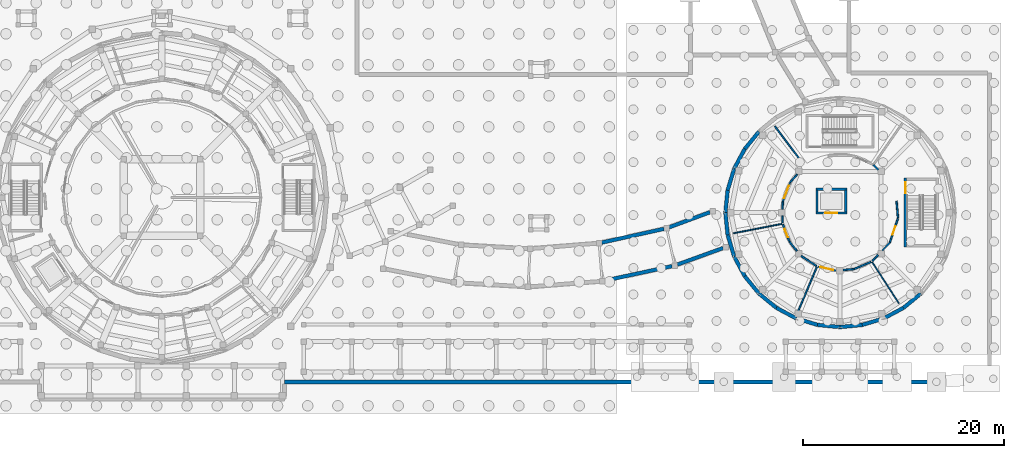
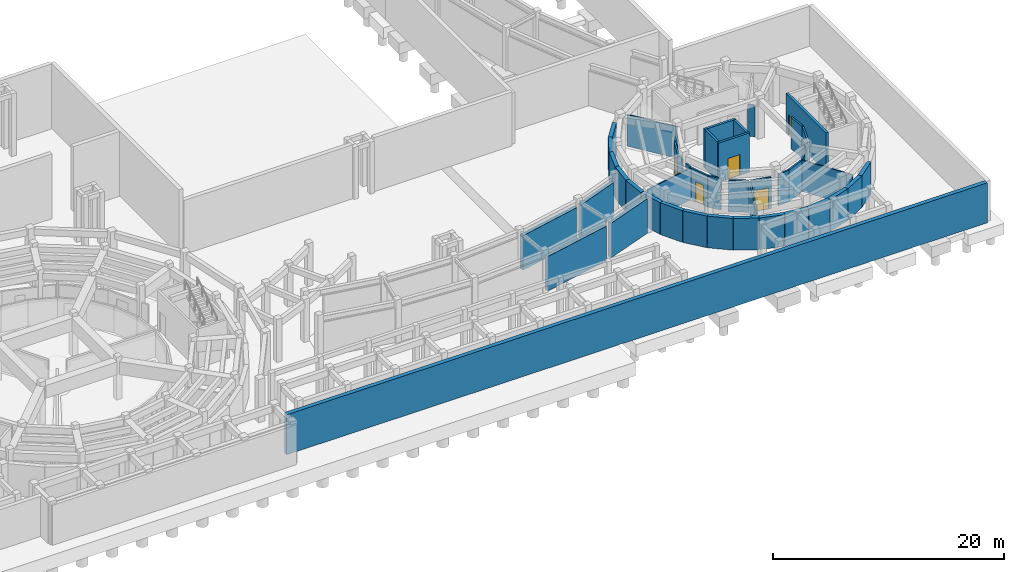
# One storey, part 44 of 57: 45 walls, 6 doors, 6 openings.
"""IFC4 building model written with IfcOpenShell, lengths in metres."""

from ifc_helpers import new_model, si_unit, direction, frame, frame_2d, origin, place, context, subcontext, project, spatial, rectangle, extrude, material, layer, layer_set, type_object, element, fill, save


model = new_model("IFC4")

# Units and contexts
model_context = context("Model", 3, precision=1e-05, world=origin(), true_north=direction((0.0, 1.0)))
body_context = subcontext(model_context, "Body", "Model", "MODEL_VIEW")
ifc_project = project(units=[si_unit("LENGTHUNIT", "METRE"), si_unit("AREAUNIT", "SQUARE_METRE"), si_unit("VOLUMEUNIT", "CUBIC_METRE"), si_unit("PLANEANGLEUNIT", "RADIAN"), si_unit("MASSUNIT", "GRAM", prefix="KILO")], contexts=[model_context])

# Site, building, storey
site_placement = place(None, origin())
site = spatial("IfcSite", under=ifc_project, at=site_placement, CompositionType="ELEMENT")
building_placement = place(site_placement, origin())
building = spatial("IfcBuilding", under=site, at=building_placement, Name="Aldenvaro Health Centre", CompositionType="ELEMENT")
storey_placement = place(building_placement, frame((0.0, 0.0, -4.550048828125)))
storey = spatial("IfcBuildingStorey", under=building, at=storey_placement, Name="B1", CompositionType="ELEMENT", Elevation=-4.550048828125)

# Walls
ifc_material_1 = material(Name="Gypsum Stud Acoustic Assembly")
ifc_layer_1 = layer(ifc_material_1, 0.14501953125, Name="Gypsum Stud Acoustic Assembly")
ifc_layer_set_1 = layer_set([ifc_layer_1], Name="Gypsum Stud Acoustic Assembly")
wall_type_1 = type_object("IfcWallType", Name="WL-CLN-145", PredefinedType="PARTITIONING", material=ifc_layer_set_1)
wall_1_placement = place(storey_placement, frame((150.85009765625, 23.343994140625, 0.0), z_axis=(0.0, 0.0, 1.0), x_axis=(-0.601830514666, 0.798623836118, 0.0)))
element("IfcWall", 1, at=wall_1_placement, inside=storey, type_object=wall_type_1, Name="D6 B1 clinical partition 2.1", PredefinedType="PARTITIONING", context=body_context, shape_type="SweptSolid", body=[
    extrude(rectangle(XDim=4.690673828125, YDim=0.14501953125, at=frame_2d((2.34521484375, 0.0))), origin(), (0.0, 0.0, 1.0), 3.322998046875),
])
wall_2_placement = place(storey_placement, frame((152.200927734375, 13.0849609375, 0.0), z_axis=(0.0, 0.0, 1.0), x_axis=(-0.390680175244, -0.920526480157, 0.0)))
element("IfcWall", 2, at=wall_2_placement, inside=storey, type_object=wall_type_1, Name="D6 B1 clinical partition 4.1", PredefinedType="PARTITIONING", context=body_context, shape_type="SweptSolid", body=[
    extrude(rectangle(XDim=4.90673828125, YDim=0.14501953125, at=frame_2d((2.453369140625, 0.0))), origin(), (0.0, 0.0, 1.0), 3.322998046875),
])
ifc_layer_2 = layer(ifc_material_1, 0.1650390625, Name="Gypsum Stud Acoustic Assembly")
ifc_layer_set_2 = layer_set([ifc_layer_2], Name="Gypsum Stud Acoustic Assembly")
wall_type_2 = type_object("IfcWallType", Name="WL-COR-165", PredefinedType="PARTITIONING", material=ifc_layer_set_2)
wall_3_placement = place(storey_placement, frame((150.2509765625, 22.306884765625, 0.0), z_axis=(0.0, 0.0, 1.0), x_axis=(-0.665670610056, -0.746245696073, 0.0)))
element("IfcWall", 3, at=wall_3_placement, inside=storey, type_object=wall_type_2, Name="D6 B1 corridor wall 02.1", PredefinedType="PARTITIONING", context=body_context, shape_type="SweptSolid", body=[
    extrude(rectangle(XDim=1.054443359375, YDim=0.1650390625, at=frame_2d((0.52734375, 0.0))), origin(), (0.0, 0.0, 1.0), 3.322998046875),
])

# Wall, opening, door
wall_4_placement = place(storey_placement, frame((149.549072265625, 21.52001953125, 0.0), z_axis=(0.0, 0.0, 1.0), x_axis=(-0.358830356871, -0.93340279354, 0.0)))
wall_4 = element("IfcWall", 4, at=wall_4_placement, inside=storey, type_object=wall_type_2, Name="D6 B1 corridor wall 02.2", PredefinedType="PARTITIONING", context=body_context, shape_type="SweptSolid", body=[
    extrude(rectangle(XDim=2.090087890625, YDim=0.1650390625, at=frame_2d((1.044921875, 0.0))), origin(), (0.0, 0.0, 1.0), 3.322998046875),
])
opening_1_placement = place(wall_4_placement, frame((0.385009765625, 0.0, 0.0)))
opening_1 = element("IfcOpeningElement", 5, at=opening_1_placement, cuts=wall_4, Name="Opening PD-02", PredefinedType="OPENING", context=body_context, shape_type="SweptSolid", body=[
    extrude(rectangle(XDim=1.320068359375, YDim=2.239990234375, at=frame_2d((0.66015625, 1.1201171875))), frame((0.0, 0.092529296875, 0.0), z_axis=(0.0, -1.0, 0.0), x_axis=(1.0, 0.0, 0.0)), (0.0, 0.0, 1.0), 0.18505859375),
])
ifc_material_2 = material(Name="Double Leaf Plant Equipment Door")
door_type_1 = type_object("IfcDoorType", Name="DR-PLT-02", OperationType="NOTDEFINED", PredefinedType="DOOR", material=ifc_material_2)
door_1_placement = place(opening_1_placement, origin())
door_1 = element("IfcDoor", 6, at=door_1_placement, inside=storey, type_object=door_type_1, Name="Dental Vacuum and Medical Air Plant Door", OperationType="SINGLE_SWING_LEFT", OverallHeight=2.239990234375, OverallWidth=1.320068359375, PredefinedType="DOOR", context=body_context, shape_type="SweptSolid", body=[
    extrude(rectangle(XDim=1.320068359375, YDim=2.239990234375, at=frame_2d((0.66015625, 1.1201171875))), frame((0.0, 0.02490234375, 0.0), z_axis=(0.0, -1.0, 0.0), x_axis=(1.0, 0.0, 0.0)), (0.0, 0.0, 1.0), 0.050048828125),
])
fill(opening_1, door_1)

# Walls
wall_5_placement = place(storey_placement, frame((148.799072265625, 19.569091796875, 0.0), z_axis=(0.0, 0.0, 1.0), x_axis=(-0.004213900998, -0.99999112148, 0.0)))
element("IfcWall", 7, at=wall_5_placement, inside=storey, type_object=wall_type_2, Name="D6 B1 corridor wall 02.3", PredefinedType="PARTITIONING", context=body_context, shape_type="SweptSolid", body=[
    extrude(rectangle(XDim=0.753173828125, YDim=0.1650390625, at=frame_2d((0.37646484375, 0.0))), origin(), (0.0, 0.0, 1.0), 3.322998046875),
])
wall_6_placement = place(storey_placement, frame((148.7939453125, 18.18408203125, 0.0), z_axis=(0.0, 0.0, 1.0), x_axis=(-0.004149341873, -0.999991391444, 0.0)))
element("IfcWall", 8, at=wall_6_placement, inside=storey, type_object=wall_type_2, Name="D6 B1 corridor wall 02.4", PredefinedType="PARTITIONING", context=body_context, shape_type="SweptSolid", body=[
    extrude(rectangle(XDim=0.7060546875, YDim=0.1650390625, at=frame_2d((0.35302734375, 0.0))), origin(), (0.0, 0.0, 1.0), 3.322998046875),
])

# Wall, opening, door
wall_7_placement = place(storey_placement, frame((148.823974609375, 17.30908203125, 0.0), z_axis=(0.0, 0.0, 1.0), x_axis=(0.356746140056, -0.934201365636, 0.0)))
wall_7 = element("IfcWall", 9, at=wall_7_placement, inside=storey, type_object=wall_type_2, Name="D6 B1 corridor wall 03.1", PredefinedType="PARTITIONING", context=body_context, shape_type="SweptSolid", body=[
    extrude(rectangle(XDim=1.8251953125, YDim=0.1650390625, at=frame_2d((0.91259765625, 0.0))), origin(), (0.0, 0.0, 1.0), 3.322998046875),
])
opening_2_placement = place(wall_7_placement, frame((0.471923828125, 0.0, 0.0)))
opening_2 = element("IfcOpeningElement", 10, at=opening_2_placement, cuts=wall_7, Name="Opening UD-01", PredefinedType="OPENING", context=body_context, shape_type="SweptSolid", body=[
    extrude(rectangle(XDim=0.8798828125, YDim=2.10009765625, at=frame_2d((0.43994140625, 1.050048828125))), frame((0.0, 0.092529296875, 0.0), z_axis=(0.0, -1.0, 0.0), x_axis=(1.0, 0.0, 0.0)), (0.0, 0.0, 1.0), 0.18505859375),
])
ifc_material_3 = material(Name="Clean Supply Store Door")
door_type_2 = type_object("IfcDoorType", Name="DR-STR-01", OperationType="NOTDEFINED", PredefinedType="DOOR", material=ifc_material_3)
door_2_placement = place(opening_2_placement, origin())
door_2 = element("IfcDoor", 11, at=door_2_placement, inside=storey, type_object=door_type_2, Name="Hazardous and Sharps Waste Hold Door", OperationType="SINGLE_SWING_RIGHT", OverallHeight=2.10009765625, OverallWidth=0.8798828125, PredefinedType="DOOR", context=body_context, shape_type="SweptSolid", body=[
    extrude(rectangle(XDim=0.8798828125, YDim=2.10009765625, at=frame_2d((0.43994140625, 1.050048828125))), frame((0.0, 0.02490234375, 0.0), z_axis=(0.0, -1.0, 0.0), x_axis=(1.0, 0.0, 0.0)), (0.0, 0.0, 1.0), 0.050048828125),
])
fill(opening_2, door_2)

# Walls
wall_8_placement = place(storey_placement, frame((149.47509765625, 15.60400390625, 0.0), z_axis=(0.0, 0.0, 1.0), x_axis=(0.62928673226, -0.777173216601, 0.0)))
element("IfcWall", 12, at=wall_8_placement, inside=storey, type_object=wall_type_2, Name="D6 B1 corridor wall 03.2", PredefinedType="PARTITIONING", context=body_context, shape_type="SweptSolid", body=[
    extrude(rectangle(XDim=1.190185546875, YDim=0.1650390625, at=frame_2d((0.59521484375, 0.0))), origin(), (0.0, 0.0, 1.0), 3.322998046875),
])
wall_9_placement = place(storey_placement, frame((150.64111328125, 14.175048828125, 0.0), z_axis=(0.0, 0.0, 1.0), x_axis=(0.839472077777, -0.543402825382, 0.0)))
element("IfcWall", 13, at=wall_9_placement, inside=storey, type_object=wall_type_2, Name="D6 B1 corridor wall 03.3", PredefinedType="PARTITIONING", context=body_context, shape_type="SweptSolid", body=[
    extrude(rectangle(XDim=1.803466796875, YDim=0.1650390625, at=frame_2d((0.90185546875, 0.0))), origin(), (0.0, 0.0, 1.0), 3.322998046875),
])

# Wall, opening, door
wall_10_placement = place(storey_placement, frame((152.31298828125, 13.1279296875, 0.0), z_axis=(0.0, 0.0, 1.0), x_axis=(0.973942767764, -0.22679392655, 0.0)))
wall_10 = element("IfcWall", 14, at=wall_10_placement, inside=storey, type_object=wall_type_2, Name="D6 B1 corridor wall 04.1", PredefinedType="PARTITIONING", context=body_context, shape_type="SweptSolid", body=[
    extrude(rectangle(XDim=1.82470703125, YDim=0.1650390625, at=frame_2d((0.912353515625, 0.0))), origin(), (0.0, 0.0, 1.0), 3.322998046875),
])
opening_3_placement = place(wall_10_placement, frame((0.251953125, 0.0, 0.0)))
opening_3 = element("IfcOpeningElement", 15, at=opening_3_placement, cuts=wall_10, Name="Opening PD-02", PredefinedType="OPENING", context=body_context, shape_type="SweptSolid", body=[
    extrude(rectangle(XDim=1.320068359375, YDim=2.239990234375, at=frame_2d((0.66015625, 1.1201171875))), frame((0.0, 0.092529296875, 0.0), z_axis=(0.0, -1.0, 0.0), x_axis=(1.0, 0.0, 0.0)), (0.0, 0.0, 1.0), 0.18505859375),
])
door_3_placement = place(opening_3_placement, origin())
door_3 = element("IfcDoor", 16, at=door_3_placement, inside=storey, type_object=door_type_1, Name="Telecom MDF Room Door", OperationType="SINGLE_SWING_LEFT", OverallHeight=2.239990234375, OverallWidth=1.320068359375, PredefinedType="DOOR", context=body_context, shape_type="SweptSolid", body=[
    extrude(rectangle(XDim=1.320068359375, YDim=2.239990234375, at=frame_2d((0.66015625, 1.1201171875))), frame((0.0, 0.02490234375, 0.0), z_axis=(0.0, -1.0, 0.0), x_axis=(1.0, 0.0, 0.0)), (0.0, 0.0, 1.0), 0.050048828125),
])
fill(opening_3, door_3)

# Walls
wall_11_placement = place(storey_placement, frame((154.820068359375, 12.778076171875, 0.0), z_axis=(0.0, 0.0, 1.0), x_axis=(0.996133303229, 0.087854665208, 0.0)))
element("IfcWall", 17, at=wall_11_placement, inside=storey, type_object=wall_type_2, Name="D6 B1 corridor wall 04.2", PredefinedType="PARTITIONING", context=body_context, shape_type="SweptSolid", body=[
    extrude(rectangle(XDim=1.092041015625, YDim=0.1650390625, at=frame_2d((0.5458984375, 0.0))), origin(), (0.0, 0.0, 1.0), 3.322998046875),
])
wall_12_placement = place(storey_placement, frame((155.907958984375, 12.8740234375, 0.0), z_axis=(0.0, 0.0, 1.0), x_axis=(0.919946215616, 0.392044589777, 0.0)))
element("IfcWall", 18, at=wall_12_placement, inside=storey, type_object=wall_type_2, Name="D6 B1 corridor wall 04.3", PredefinedType="PARTITIONING", context=body_context, shape_type="SweptSolid", body=[
    extrude(rectangle(XDim=1.823974609375, YDim=0.1650390625, at=frame_2d((0.912109375, 0.0))), origin(), (0.0, 0.0, 1.0), 3.322998046875),
])
wall_13_placement = place(storey_placement, frame((157.73095703125, 13.68310546875, 0.0), z_axis=(0.0, 0.0, 1.0), x_axis=(0.689282536267, 0.724492639851, 0.0)))
element("IfcWall", 19, at=wall_13_placement, inside=storey, type_object=wall_type_2, Name="D6 B1 corridor wall 05.1", PredefinedType="PARTITIONING", context=body_context, shape_type="SweptSolid", body=[
    extrude(rectangle(XDim=0.818115234375, YDim=0.1650390625, at=frame_2d((0.4091796875, 0.0))), origin(), (0.0, 0.0, 1.0), 3.322998046875),
])
wall_14_placement = place(storey_placement, frame((158.7080078125, 14.7109375, 0.0), z_axis=(0.0, 0.0, 1.0), x_axis=(0.689704707085, 0.724090751926, 0.0)))
element("IfcWall", 20, at=wall_14_placement, inside=storey, type_object=wall_type_2, Name="D6 B1 corridor wall 05.2", PredefinedType="PARTITIONING", context=body_context, shape_type="SweptSolid", body=[
    extrude(rectangle(XDim=1.107666015625, YDim=0.1650390625, at=frame_2d((0.5537109375, 0.0))), origin(), (0.0, 0.0, 1.0), 3.322998046875),
])

# Wall, opening, door
wall_15_placement = place(storey_placement, frame((159.471923828125, 15.512939453125, 0.0), z_axis=(0.0, 0.0, 1.0), x_axis=(0.316024745021, 0.94875094758, 0.0)))
wall_15 = element("IfcWall", 21, at=wall_15_placement, inside=storey, type_object=wall_type_2, Name="D6 B1 corridor wall 05.3", PredefinedType="PARTITIONING", context=body_context, shape_type="SweptSolid", body=[
    extrude(rectangle(XDim=2.525390625, YDim=0.1650390625, at=frame_2d((1.2626953125, 0.0))), origin(), (0.0, 0.0, 1.0), 3.322998046875),
])
opening_4_placement = place(wall_15_placement, frame((0.822998046875, 0.0, 0.0)))
opening_4 = element("IfcOpeningElement", 22, at=opening_4_placement, cuts=wall_15, Name="Opening UD-01", PredefinedType="OPENING", context=body_context, shape_type="SweptSolid", body=[
    extrude(rectangle(XDim=0.8798828125, YDim=2.10009765625, at=frame_2d((0.43994140625, 1.050048828125))), frame((0.0, 0.092529296875, 0.0), z_axis=(0.0, -1.0, 0.0), x_axis=(1.0, 0.0, 0.0)), (0.0, 0.0, 1.0), 0.18505859375),
])
door_4_placement = place(opening_4_placement, origin())
door_4 = element("IfcDoor", 23, at=door_4_placement, inside=storey, type_object=door_type_2, Name="Housekeeping Supply Room Door", OperationType="SINGLE_SWING_RIGHT", OverallHeight=2.10009765625, OverallWidth=0.8798828125, PredefinedType="DOOR", context=body_context, shape_type="SweptSolid", body=[
    extrude(rectangle(XDim=0.8798828125, YDim=2.10009765625, at=frame_2d((0.43994140625, 1.050048828125))), frame((0.0, 0.02490234375, 0.0), z_axis=(0.0, -1.0, 0.0), x_axis=(1.0, 0.0, 0.0)), (0.0, 0.0, 1.0), 0.050048828125),
])
fill(opening_4, door_4)

# Walls
wall_16_placement = place(storey_placement, frame((160.279052734375, 18.0029296875, 0.0), z_axis=(0.0, 0.0, 1.0), x_axis=(-0.088298877472, 0.996094025801, 0.0)))
element("IfcWall", 24, at=wall_16_placement, inside=storey, type_object=wall_type_2, Name="D6 B1 corridor wall 06.1", PredefinedType="PARTITIONING", context=body_context, shape_type="SweptSolid", body=[
    extrude(rectangle(XDim=1.6533203125, YDim=0.1650390625, at=frame_2d((0.82666015625, 0.0))), origin(), (0.0, 0.0, 1.0), 3.322998046875),
])
wall_17_placement = place(storey_placement, frame((158.31494140625, 22.763916015625, 0.0), z_axis=(0.0, 0.0, 1.0), x_axis=(-0.706927698814, 0.707285818216, 0.0)))
element("IfcWall", 25, at=wall_17_placement, inside=storey, type_object=wall_type_2, Name="D6 B1 corridor wall 06.2", PredefinedType="PARTITIONING", context=body_context, shape_type="SweptSolid", body=[
    extrude(rectangle(XDim=0.681640625, YDim=0.1650390625, at=frame_2d((0.3408203125, 0.0))), origin(), (0.0, 0.0, 1.0), 3.322998046875),
])
ifc_material_4 = material(Name="Concrete f'c 40 MPa", Category="concrete")
ifc_layer_3 = layer(ifc_material_4, 0.3701171875, Name="Concrete f'c 40 MPa", Category="concrete")
ifc_layer_set_3 = layer_set([ifc_layer_3], Name="Concrete f'c 40 MPa")
wall_type_3 = type_object("IfcWallType", Name="WL-RET-370", PredefinedType="USERDEFINED", material=ifc_layer_set_3)
for number, where, z_axis, x_axis, name in (
    (26, (162.56103515625, 10.43896484375, 0.0), (0.0, 0.0, 1.0), (-0.772875513354, -0.63455767339, 0.0), "D6 B1 hillside retaining wall 05"),
    (27, (160.833984375, 9.02099609375, 0.0), (0.0, 0.0, 1.0), (-0.882017012185, -0.471217561446, 0.0), "D6 B1 hillside retaining wall 06"),
):
    element("IfcWall", number, at=place(storey_placement, frame(where, z_axis=z_axis, x_axis=x_axis)), inside=storey, type_object=wall_type_3, Name=name, ObjectType="RETAININGWALL", PredefinedType="USERDEFINED", context=body_context, shape_type="SweptSolid", body=[
        extrude(rectangle(XDim=2.234619140625, YDim=0.3701171875, at=frame_2d((1.1171875, 0.0))), origin(), (0.0, 0.0, 1.0), 3.34814453125),
    ])
wall_18_placement = place(storey_placement, frame((158.863037109375, 7.968017578125, 0.0), z_axis=(0.0, 0.0, 1.0), x_axis=(-0.956928814218, -0.290322655883, 0.0)))
element("IfcWall", 28, at=wall_18_placement, inside=storey, type_object=wall_type_3, Name="D6 B1 hillside retaining wall 07", ObjectType="RETAININGWALL", PredefinedType="USERDEFINED", context=body_context, shape_type="SweptSolid", body=[
    extrude(rectangle(XDim=2.235107421875, YDim=0.3701171875, at=frame_2d((1.11767578125, 0.0))), origin(), (0.0, 0.0, 1.0), 3.34814453125),
])
for number, where, z_axis, x_axis, name in (
    (29, (156.72412109375, 7.319091796875, 0.0), (0.0, 0.0, 1.0), (-0.995187461503, -0.097989369151, 0.0), "D6 B1 hillside retaining wall 08"),
    (30, (154.5, 7.10009765625, 0.0), (0.0, 0.0, 1.0), (-0.995187461503, 0.097989369151, 0.0), "D6 B1 hillside retaining wall 09"),
):
    element("IfcWall", number, at=place(storey_placement, frame(where, z_axis=z_axis, x_axis=x_axis)), inside=storey, type_object=wall_type_3, Name=name, ObjectType="RETAININGWALL", PredefinedType="USERDEFINED", context=body_context, shape_type="SweptSolid", body=[
        extrude(rectangle(XDim=2.23486328125, YDim=0.3701171875, at=frame_2d((1.117431640625, 0.0))), origin(), (0.0, 0.0, 1.0), 3.34814453125),
    ])
wall_19_placement = place(storey_placement, frame((152.27587890625, 7.319091796875, 0.0), z_axis=(0.0, 0.0, 1.0), x_axis=(-0.956928814218, 0.290322655883, 0.0)))
element("IfcWall", 31, at=wall_19_placement, inside=storey, type_object=wall_type_3, Name="D6 B1 hillside retaining wall 10", ObjectType="RETAININGWALL", PredefinedType="USERDEFINED", context=body_context, shape_type="SweptSolid", body=[
    extrude(rectangle(XDim=2.235107421875, YDim=0.3701171875, at=frame_2d((1.11767578125, 0.0))), origin(), (0.0, 0.0, 1.0), 3.34814453125),
])
for number, where, z_axis, x_axis, name in (
    (32, (150.136962890625, 7.968017578125, 0.0), (0.0, 0.0, 1.0), (-0.882017012185, 0.471217561446, 0.0), "D6 B1 hillside retaining wall 11"),
    (33, (148.166015625, 9.02099609375, 0.0), (0.0, 0.0, 1.0), (-0.772875513354, 0.63455767339, 0.0), "D6 B1 hillside retaining wall 12"),
    (34, (146.43896484375, 10.43896484375, 0.0), (0.0, 0.0, 1.0), (-0.63455767339, 0.772875513354, 0.0), "D6 B1 hillside retaining wall 13"),
    (35, (145.02099609375, 12.166015625, 0.0), (0.0, 0.0, 1.0), (-0.471217561446, 0.882017012185, 0.0), "D6 B1 hillside retaining wall 14"),
):
    element("IfcWall", number, at=place(storey_placement, frame(where, z_axis=z_axis, x_axis=x_axis)), inside=storey, type_object=wall_type_3, Name=name, ObjectType="RETAININGWALL", PredefinedType="USERDEFINED", context=body_context, shape_type="SweptSolid", body=[
        extrude(rectangle(XDim=2.234619140625, YDim=0.3701171875, at=frame_2d((1.1171875, 0.0))), origin(), (0.0, 0.0, 1.0), 3.34814453125),
    ])
wall_20_placement = place(storey_placement, frame((143.968017578125, 14.136962890625, 0.0), z_axis=(0.0, 0.0, 1.0), x_axis=(-0.290322655883, 0.956928814218, 0.0)))
element("IfcWall", 36, at=wall_20_placement, inside=storey, type_object=wall_type_3, Name="D6 B1 hillside retaining wall 15", ObjectType="RETAININGWALL", PredefinedType="USERDEFINED", context=body_context, shape_type="SweptSolid", body=[
    extrude(rectangle(XDim=2.235107421875, YDim=0.3701171875, at=frame_2d((1.11767578125, 0.0))), origin(), (0.0, 0.0, 1.0), 3.34814453125),
])
for number, where, z_axis, x_axis, name in (
    (37, (143.319091796875, 16.27587890625, 0.0), (0.0, 0.0, 1.0), (-0.097989369151, 0.995187461503, 0.0), "D6 B1 hillside retaining wall 16"),
    (38, (143.10009765625, 18.5, 0.0), (0.0, 0.0, 1.0), (0.097989369151, 0.995187461503, 0.0), "D6 B1 hillside retaining wall 17"),
):
    element("IfcWall", number, at=place(storey_placement, frame(where, z_axis=z_axis, x_axis=x_axis)), inside=storey, type_object=wall_type_3, Name=name, ObjectType="RETAININGWALL", PredefinedType="USERDEFINED", context=body_context, shape_type="SweptSolid", body=[
        extrude(rectangle(XDim=2.23486328125, YDim=0.3701171875, at=frame_2d((1.117431640625, 0.0))), origin(), (0.0, 0.0, 1.0), 3.34814453125),
    ])
wall_21_placement = place(storey_placement, frame((143.319091796875, 20.72412109375, 0.0), z_axis=(0.0, 0.0, 1.0), x_axis=(0.290322655883, 0.956928814218, 0.0)))
element("IfcWall", 39, at=wall_21_placement, inside=storey, type_object=wall_type_3, Name="D6 B1 hillside retaining wall 18", ObjectType="RETAININGWALL", PredefinedType="USERDEFINED", context=body_context, shape_type="SweptSolid", body=[
    extrude(rectangle(XDim=2.235107421875, YDim=0.3701171875, at=frame_2d((1.11767578125, 0.0))), origin(), (0.0, 0.0, 1.0), 3.34814453125),
])
for number, where, z_axis, x_axis, name in (
    (40, (143.968017578125, 22.863037109375, 0.0), (0.0, 0.0, 1.0), (0.471217561446, 0.882017012185, 0.0), "D6 B1 hillside retaining wall 19"),
    (41, (145.02099609375, 24.833984375, 0.0), (0.0, 0.0, 1.0), (0.63455767339, 0.772875513354, 0.0), "D6 B1 hillside retaining wall 20"),
):
    element("IfcWall", number, at=place(storey_placement, frame(where, z_axis=z_axis, x_axis=x_axis)), inside=storey, type_object=wall_type_3, Name=name, ObjectType="RETAININGWALL", PredefinedType="USERDEFINED", context=body_context, shape_type="SweptSolid", body=[
        extrude(rectangle(XDim=2.234619140625, YDim=0.3701171875, at=frame_2d((1.1171875, 0.0))), origin(), (0.0, 0.0, 1.0), 3.34814453125),
    ])
wall_22_placement = place(storey_placement, frame((130.7890625, 15.51611328125, 0.0), z_axis=(0.0, 0.0, 1.0), x_axis=(0.97646112343, 0.215693473315, 0.0)))
element("IfcWall", 42, at=wall_22_placement, inside=storey, type_object=wall_type_3, Name="South East Curved Peristyle Walkway Arc 4 B1 retaining wall L.1", ObjectType="RETAININGWALL", PredefinedType="USERDEFINED", context=body_context, shape_type="SweptSolid", body=[
    extrude(rectangle(XDim=6.3330078125, YDim=0.3701171875, at=frame_2d((3.16650390625, 0.0))), origin(), (0.0, 0.0, 1.0), 3.64501953125),
])
wall_23_placement = place(storey_placement, frame((131.0869140625, 11.72705078125, 0.0), z_axis=(0.0, 0.0, 1.0), x_axis=(0.977532997131, 0.210782445949, 0.0)))
element("IfcWall", 43, at=wall_23_placement, inside=storey, type_object=wall_type_3, Name="South East Curved Peristyle Walkway Arc 4 B1 retaining wall R.1", ObjectType="RETAININGWALL", PredefinedType="USERDEFINED", context=body_context, shape_type="SweptSolid", body=[
    extrude(rectangle(XDim=6.849853515625, YDim=0.3701171875, at=frame_2d((3.4248046875, 0.0))), origin(), (0.0, 0.0, 1.0), 3.64501953125),
])
wall_24_placement = place(storey_placement, frame((137.5, 17.035888671875, 0.0), z_axis=(0.0, 0.0, 1.0), x_axis=(0.937779330537, 0.347231806172, 0.0)))
element("IfcWall", 44, at=wall_24_placement, inside=storey, type_object=wall_type_3, Name="South East Curved Peristyle Walkway Arc 5 B1 retaining wall L.1", ObjectType="RETAININGWALL", PredefinedType="USERDEFINED", context=body_context, shape_type="SweptSolid", body=[
    extrude(rectangle(XDim=4.334716796875, YDim=0.3701171875, at=frame_2d((2.16748046875, 0.0))), origin(), (0.0, 0.0, 1.0), 3.64501953125),
])
wall_25_placement = place(storey_placement, frame((138.31103515625, 13.322998046875, 0.0), z_axis=(0.0, 0.0, 1.0), x_axis=(0.940238058324, 0.340517831661, 0.0)))
element("IfcWall", 45, at=wall_25_placement, inside=storey, type_object=wall_type_3, Name="South East Curved Peristyle Walkway Arc 5 B1 retaining wall R.1", ObjectType="RETAININGWALL", PredefinedType="USERDEFINED", context=body_context, shape_type="SweptSolid", body=[
    extrude(rectangle(XDim=4.848876953125, YDim=0.3701171875, at=frame_2d((2.42431640625, 0.0))), origin(), (0.0, 0.0, 1.0), 3.64501953125),
])
ifc_layer_4 = layer(ifc_material_4, 0.39990234375, Name="Concrete f'c 40 MPa", Category="concrete")
ifc_layer_set_4 = layer_set([ifc_layer_4], Name="Concrete f'c 40 MPa")
wall_type_4 = type_object("IfcWallType", Name="WL-RET-400", PredefinedType="USERDEFINED", material=ifc_layer_set_4)
wall_26_placement = place(storey_placement, frame((99.199951171875, 1.64990234375, 0.0), z_axis=(0.0, 0.0, 1.0), x_axis=(1.0, 0.0, 0.0)))
element("IfcWall", 46, at=wall_26_placement, inside=storey, type_object=wall_type_4, Name="Stepped Foothill Retaining Wall T1S-SE-00", ObjectType="RETAININGWALL", PredefinedType="USERDEFINED", context=body_context, shape_type="SweptSolid", body=[
    extrude(rectangle(XDim=69.97607421875, YDim=0.39990234375, at=frame_2d((34.988037109375, 0.0))), origin(), (0.0, 0.0, 1.0), 4.22998046875),
])

# Wall, opening, door
ifc_layer_5 = layer(ifc_material_4, 0.22509765625, Name="Concrete f'c 40 MPa", Category="concrete")
ifc_layer_set_5 = layer_set([ifc_layer_5], Name="Concrete f'c 40 MPa")
wall_type_5 = type_object("IfcWallType", Name="WL-SHAFT-225", PredefinedType="SHEAR", material=ifc_layer_set_5)
wall_27_placement = place(storey_placement, frame((152.10009765625, 18.4619140625, 0.0), z_axis=(0.0, 0.0, 1.0), x_axis=(1.0, 0.0, 0.0)))
wall_27 = element("IfcWall", 47, at=wall_27_placement, inside=storey, type_object=wall_type_5, Name="LF-06 B1 lift shaft front wall", PredefinedType="SHEAR", context=body_context, shape_type="SweptSolid", body=[
    extrude(rectangle(XDim=3.099853515625, YDim=0.22509765625, at=frame_2d((1.5498046875, 0.0))), origin(), (0.0, 0.0, 1.0), 4.14794921875),
])
opening_5_placement = place(wall_27_placement, frame((0.949951171875, 0.0, 0.0)))
opening_5 = element("IfcOpeningElement", 48, at=opening_5_placement, cuts=wall_27, Name="Opening LD-01", PredefinedType="OPENING", context=body_context, shape_type="SweptSolid", body=[
    extrude(rectangle(XDim=1.199951171875, YDim=2.199951171875, at=frame_2d((0.60009765625, 1.10009765625))), frame((0.0, 0.12255859375, 0.0), z_axis=(0.0, -1.0, 0.0), x_axis=(1.0, 0.0, 0.0)), (0.0, 0.0, 1.0), 0.2451171875),
])
ifc_material_5 = material(Name="Stainless Steel Lift Landing Door", Category="steel")
door_type_3 = type_object("IfcDoorType", Name="DR-LIFT-120", OperationType="DOUBLE_DOOR_SLIDING", PredefinedType="DOOR", material=ifc_material_5)
door_5_placement = place(opening_5_placement, origin())
door_5 = element("IfcDoor", 49, at=door_5_placement, inside=storey, type_object=door_type_3, Name="Lift LF-06 B1 Sliding Landing Door", OperationType="DOUBLE_DOOR_SLIDING", OverallHeight=2.199951171875, OverallWidth=1.199951171875, PredefinedType="DOOR", context=body_context, shape_type="SweptSolid", body=[
    extrude(rectangle(XDim=1.199951171875, YDim=2.199951171875, at=frame_2d((0.60009765625, 1.10009765625))), frame((0.0, 0.02490234375, 0.0), z_axis=(0.0, -1.0, 0.0), x_axis=(1.0, 0.0, 0.0)), (0.0, 0.0, 1.0), 0.050048828125),
])
fill(opening_5, door_5)

# Walls
wall_28_placement = place(storey_placement, frame((152.10009765625, 20.8369140625, 0.0), z_axis=(0.0, 0.0, 1.0), x_axis=(1.0, 0.0, 0.0)))
element("IfcWall", 50, at=wall_28_placement, inside=storey, type_object=wall_type_5, Name="LF-06 B1 lift shaft rear wall", PredefinedType="SHEAR", context=body_context, shape_type="SweptSolid", body=[
    extrude(rectangle(XDim=3.099853515625, YDim=0.22509765625, at=frame_2d((1.5498046875, 0.0))), origin(), (0.0, 0.0, 1.0), 4.14794921875),
])
for number, where, z_axis, x_axis, name in (
    (51, (152.212890625, 18.574951171875, 0.0), (0.0, 0.0, 1.0), (0.0, 1.0, 0.0), "LF-06 B1 lift shaft side wall L"),
    (52, (155.087890625, 18.574951171875, 0.0), (0.0, 0.0, 1.0), (0.0, 1.0, 0.0), "LF-06 B1 lift shaft side wall R"),
):
    element("IfcWall", number, at=place(storey_placement, frame(where, z_axis=z_axis, x_axis=x_axis)), inside=storey, type_object=wall_type_5, Name=name, PredefinedType="SHEAR", context=body_context, shape_type="SweptSolid", body=[
        extrude(rectangle(XDim=2.150146484375, YDim=0.22509765625, at=frame_2d((1.0751953125, 0.0))), origin(), (0.0, 0.0, 1.0), 4.14794921875),
    ])

# Wall, opening, door
ifc_layer_6 = layer(ifc_material_4, 0.25, Name="Concrete f'c 40 MPa", Category="concrete")
ifc_layer_set_6 = layer_set([ifc_layer_6], Name="Concrete f'c 40 MPa")
wall_type_6 = type_object("IfcWallType", Name="WL-SHAFT-250", PredefinedType="SHEAR", material=ifc_layer_set_6)
wall_29_placement = place(storey_placement, frame((161.02490234375, 21.949951171875, 0.0), z_axis=(0.0, 0.0, 1.0), x_axis=(0.0, -1.0, 0.0)))
wall_29 = element("IfcWall", 53, at=wall_29_placement, inside=storey, type_object=wall_type_6, Name="ST-11 B1 inner core wall", PredefinedType="SHEAR", context=body_context, shape_type="SweptSolid", body=[
    extrude(rectangle(XDim=6.89990234375, YDim=0.25, at=frame_2d((3.449951171875, 0.0))), origin(), (0.0, 0.0, 1.0), 4.14794921875),
])
opening_6_placement = place(wall_29_placement, frame((0.429931640625, 0.0, 0.0)))
opening_6 = element("IfcOpeningElement", 54, at=opening_6_placement, cuts=wall_29, Name="Opening FD-01", PredefinedType="OPENING", context=body_context, shape_type="SweptSolid", body=[
    extrude(rectangle(XDim=1.10009765625, YDim=2.14990234375, at=frame_2d((0.550048828125, 1.074951171875))), frame((0.0, 0.135009765625, 0.0), z_axis=(0.0, -1.0, 0.0), x_axis=(1.0, 0.0, 0.0)), (0.0, 0.0, 1.0), 0.27001953125),
])
ifc_material_6 = material(Name="Fire-Rated Steel Door Assembly", Category="steel")
door_type_4 = type_object("IfcDoorType", Name="DR-STAIR-110", OperationType="NOTDEFINED", PredefinedType="DOOR", material=ifc_material_6)
door_6_placement = place(opening_6_placement, origin())
door_6 = element("IfcDoor", 55, at=door_6_placement, inside=storey, type_object=door_type_4, Name="ST-11 B1 fire stair door", OperationType="SINGLE_SWING_LEFT", OverallHeight=2.14990234375, OverallWidth=1.10009765625, PredefinedType="DOOR", context=body_context, shape_type="SweptSolid", body=[
    extrude(rectangle(XDim=1.10009765625, YDim=2.14990234375, at=frame_2d((0.550048828125, 1.074951171875))), frame((0.0, 0.02490234375, 0.0), z_axis=(0.0, -1.0, 0.0), x_axis=(1.0, 0.0, 0.0)), (0.0, 0.0, 1.0), 0.050048828125),
])
fill(opening_6, door_6)

# Walls
ifc_material_7 = material(Name="Light Gauge Steel Stud Partition", Category="steel")
ifc_layer_7 = layer(ifc_material_7, 0.114990234375, Name="Light Gauge Steel Stud Partition", Category="steel")
ifc_layer_set_7 = layer_set([ifc_layer_7], Name="Light Gauge Steel Stud Partition")
wall_type_7 = type_object("IfcWallType", Name="WL-SUB-115", PredefinedType="PARTITIONING", material=ifc_layer_set_7)
wall_30_placement = place(storey_placement, frame((148.72509765625, 17.376953125, 0.0), z_axis=(0.0, 0.0, 1.0), x_axis=(-0.981631167978, -0.190788495604, 0.0)))
element("IfcWall", 56, at=wall_30_placement, inside=storey, type_object=wall_type_7, Name="D6 B1 clinical partition 3.1", PredefinedType="PARTITIONING", context=body_context, shape_type="SweptSolid", body=[
    extrude(rectangle(XDim=4.911376953125, YDim=0.114990234375, at=frame_2d((2.45556640625, 0.0))), origin(), (0.0, 0.0, 1.0), 3.322998046875),
])
wall_31_placement = place(storey_placement, frame((157.7041015625, 13.56591796875, 0.0), z_axis=(0.0, 0.0, 1.0), x_axis=(0.544732798291, -0.83860966991, 0.0)))
element("IfcWall", 57, at=wall_31_placement, inside=storey, type_object=wall_type_7, Name="D6 B1 clinical partition 5.1", PredefinedType="PARTITIONING", context=body_context, shape_type="SweptSolid", body=[
    extrude(rectangle(XDim=4.903076171875, YDim=0.114990234375, at=frame_2d((2.45166015625, 0.0))), origin(), (0.0, 0.0, 1.0), 3.322998046875),
])

save(model, "model.ifc")
